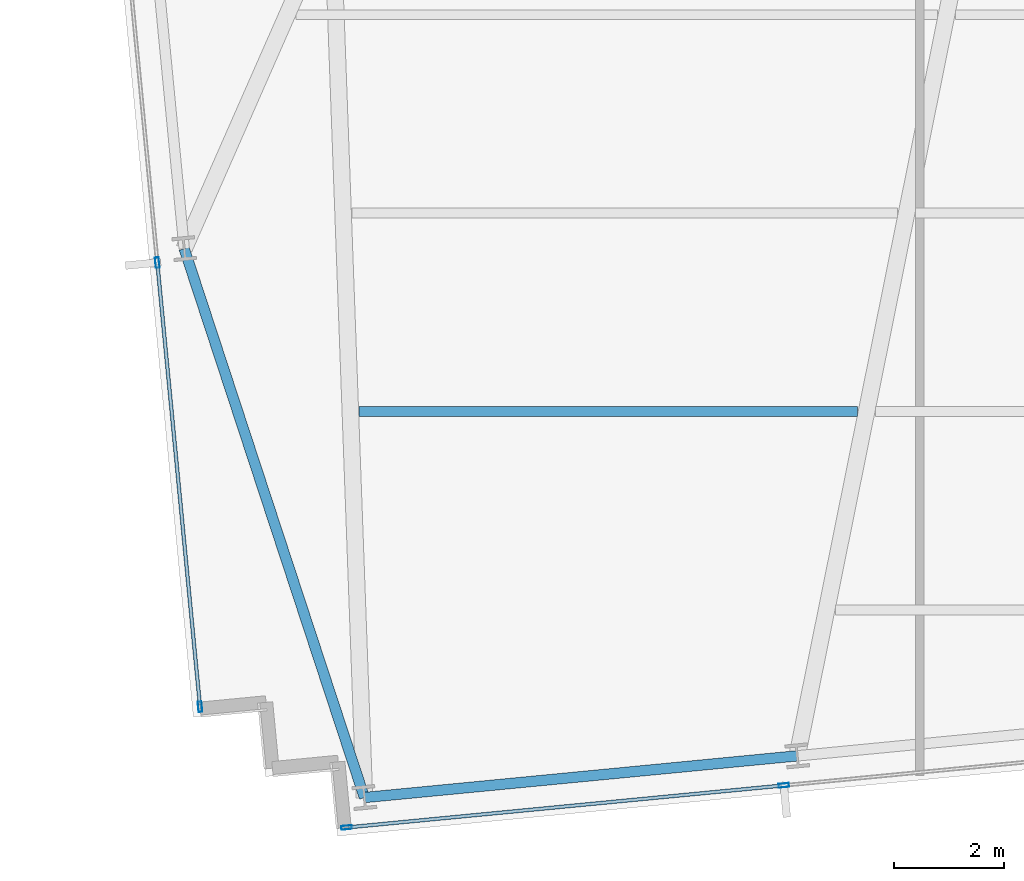
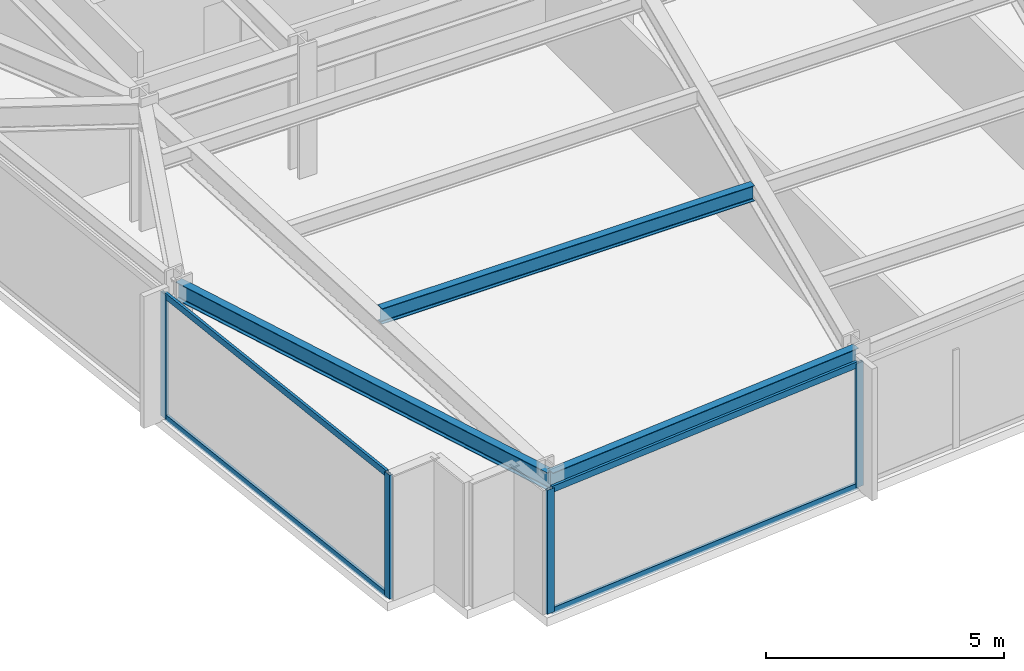
# One storey, part 2 of 33: 8 members, 3 beams, 2 elements without a shape of their own.
"""IFC4 building model written with IfcOpenShell, lengths in metres."""

from ifc_helpers import new_model, si_unit, direction, frame, origin, origin_2d, place, context, subcontext, project, spatial, hollow_rectangle, i_section, extrude, material, material_profile, profile_set, type_object, element, aggregate, save


model = new_model("IFC4")

# Units and contexts
model_context = context("Model", 3, precision=1e-05, world=origin(), true_north=direction((0.0, 1.0)))
body_context = subcontext(model_context, "Body", "Model", "MODEL_VIEW")
ifc_project = project(units=[si_unit("LENGTHUNIT", "METRE"), si_unit("AREAUNIT", "SQUARE_METRE"), si_unit("VOLUMEUNIT", "CUBIC_METRE"), si_unit("PLANEANGLEUNIT", "RADIAN"), si_unit("MASSUNIT", "GRAM", prefix="KILO")], contexts=[model_context])

# Site, building, storey
site_placement = place(None, origin())
site = spatial("IfcSite", under=ifc_project, at=site_placement, CompositionType="ELEMENT")
building_placement = place(site_placement, origin())
building = spatial("IfcBuilding", under=site, at=building_placement, Name="Yelkora Congress Tower", CompositionType="ELEMENT")
storey_placement = place(building_placement, frame((0.0, 0.0, 106.699951171875)))
storey = spatial("IfcBuildingStorey", under=building, at=storey_placement, Name="L28", CompositionType="ELEMENT", Elevation=106.699951171875)

# Beams
ifc_material_1 = material(Name="Steel S355J2", Category="steel")
ifc_material_profile_1 = material_profile(ifc_material_1, i_section(OverallWidth=0.179931640625, OverallDepth=0.39990234375, WebThickness=0.008544921875, FlangeThickness=0.013427734375, FilletRadius=0.02099609375, at=origin_2d()), Name="IPE 400")
ifc_profile_set_1 = profile_set([ifc_material_profile_1], Name="Steel S355J2")
beam_type_1 = type_object("IfcBeamType", Name="BM-JOIST-IPE400", PredefinedType="JOIST", material=ifc_profile_set_1)
beam_1_placement = place(storey_placement, frame((19.6904296875, 16.144287109375, 2.97998046875), z_axis=(1.0, 0.0, 0.0), x_axis=(0.0, 1.0, 0.0)))
element("IfcBeam", 1, at=beam_1_placement, inside=storey, type_object=beam_type_1, Name="L28 Composite Floor Joist 4", PredefinedType="JOIST", context=body_context, shape_type="SweptSolid", body=[
    extrude(i_section(OverallWidth=0.179931640625, OverallDepth=0.39990234375, WebThickness=0.008544921875, FlangeThickness=0.013427734375, FilletRadius=0.02099609375, at=origin_2d()), origin(), (0.0, 0.0, 1.0), 9.0439453125),
])
ifc_material_profile_2 = material_profile(ifc_material_1, i_section(OverallWidth=0.18994140625, OverallDepth=0.449951171875, WebThickness=0.009521484375, FlangeThickness=0.0146484375, FilletRadius=0.02099609375, at=origin_2d()), Name="IPE 450")
ifc_profile_set_2 = profile_set([ifc_material_profile_2], Name="Steel S355J2")
beam_type_2 = type_object("IfcBeamType", Name="BM-SPAN-IPE450", PredefinedType="SPANDREL", material=ifc_profile_set_2)
beam_2_placement = place(storey_placement, frame((16.5166015625, 19.101806640625, 2.955078125), z_axis=(0.311940628701, -0.95010159676, 0.0), x_axis=(0.95010159676, 0.311940628701, 0.0)))
element("IfcBeam", 2, at=beam_2_placement, inside=storey, type_object=beam_type_2, Name="L28 Perimeter Beam 2", PredefinedType="SPANDREL", context=body_context, shape_type="SweptSolid", body=[
    extrude(i_section(OverallWidth=0.18994140625, OverallDepth=0.449951171875, WebThickness=0.009521484375, FlangeThickness=0.0146484375, FilletRadius=0.02099609375, at=origin_2d()), origin(), (0.0, 0.0, 1.0), 10.48046875),
])
beam_3_placement = place(storey_placement, frame((19.785888671875, 9.144287109375, 2.955078125), z_axis=(0.995395860104, 0.095849265454, 0.0), x_axis=(-0.095849265454, 0.995395860104, 0.0)))
element("IfcBeam", 3, at=beam_3_placement, inside=storey, type_object=beam_type_2, Name="L28 Perimeter Beam 3", PredefinedType="SPANDREL", context=body_context, shape_type="SweptSolid", body=[
    extrude(i_section(OverallWidth=0.18994140625, OverallDepth=0.449951171875, WebThickness=0.009521484375, FlangeThickness=0.0146484375, FilletRadius=0.02099609375, at=origin_2d()), origin(), (0.0, 0.0, 1.0), 7.885986328125),
])

# Curtain wall, members
ifc_material_2 = material(Name="Anodised aluminium and insulated glass", Category="aluminium")
curtain_wall_type = type_object("IfcCurtainWallType", Name="CW-SYS-B2", PredefinedType="NOTDEFINED", material=ifc_material_2)
curtain_wall_1_placement = place(storey_placement, origin())
curtain_wall_1 = element("IfcCurtainWall", 4, at=curtain_wall_1_placement, inside=storey, type_object=curtain_wall_type, Name="L28 Unitised Curtain Wall 5", PredefinedType="NOTDEFINED")
ifc_material_3 = material(Name="Anodised aluminium 6063-T6", Category="aluminium")
ifc_material_profile_3 = material_profile(ifc_material_3, hollow_rectangle(XDim=0.070068359375, YDim=0.18994140625, WallThickness=0.00390625, at=origin_2d()), Name="ALU 70x190x4")
ifc_profile_set_3 = profile_set([ifc_material_profile_3], Name="Anodised aluminium 6063-T6")
member_type_1 = type_object("IfcMemberType", Name="MEM-ML-B2", PredefinedType="MULLION", material=ifc_profile_set_3)
member_1_placement = place(storey_placement, frame((16.804443359375, 10.791259765625, 0.0), z_axis=(0.0, 0.0, 1.0), x_axis=(-0.995396507508, -0.095842541913, 0.0)))
member_1 = element("IfcMember", 5, at=member_1_placement, type_object=member_type_1, Name="CW-B2 mullion 1", PredefinedType="MULLION", context=body_context, shape_type="SweptSolid", body=[
    extrude(hollow_rectangle(XDim=0.070068359375, YDim=0.18994140625, WallThickness=0.00390625, at=origin_2d()), origin(), (0.0, 0.0, 1.0), 3.179931640625),
])
member_2_placement = place(storey_placement, frame((16.028564453125, 18.848876953125, 0.0), z_axis=(0.0, 0.0, 1.0), x_axis=(-0.995396507508, -0.095842541913, 0.0)))
member_2 = element("IfcMember", 6, at=member_2_placement, type_object=member_type_1, Name="CW-B2 mullion 2", PredefinedType="MULLION", context=body_context, shape_type="SweptSolid", body=[
    extrude(hollow_rectangle(XDim=0.070068359375, YDim=0.18994140625, WallThickness=0.00390625, at=origin_2d()), origin(), (0.0, 0.0, 1.0), 3.179931640625),
])

curtain_wall_2_placement = place(storey_placement, origin())
curtain_wall_2 = element("IfcCurtainWall", 7, at=curtain_wall_2_placement, inside=storey, type_object=curtain_wall_type, Name="L28 Unitised Curtain Wall 20", PredefinedType="NOTDEFINED")
member_3_placement = place(storey_placement, frame((27.392822265625, 9.364501953125, 0.0), z_axis=(0.0, 0.0, 1.0), x_axis=(0.095844345816, -0.995396333816, 0.0)))
member_3 = element("IfcMember", 8, at=member_3_placement, type_object=member_type_1, Name="CW-B2 mullion 7", PredefinedType="MULLION", context=body_context, shape_type="SweptSolid", body=[
    extrude(hollow_rectangle(XDim=0.070068359375, YDim=0.18994140625, WallThickness=0.00390625, at=origin_2d()), origin(), (0.0, 0.0, 1.0), 3.179931640625),
])
member_4_placement = place(storey_placement, frame((19.46142578125, 8.600830078125, 0.0), z_axis=(0.0, 0.0, 1.0), x_axis=(0.095844345816, -0.995396333816, 0.0)))
member_4 = element("IfcMember", 9, at=member_4_placement, type_object=member_type_1, Name="CW-B2 mullion 8", PredefinedType="MULLION", context=body_context, shape_type="SweptSolid", body=[
    extrude(hollow_rectangle(XDim=0.070068359375, YDim=0.18994140625, WallThickness=0.00390625, at=origin_2d()), origin(), (0.0, 0.0, 1.0), 3.179931640625),
])

# Member
ifc_material_profile_4 = material_profile(ifc_material_3, hollow_rectangle(XDim=0.06494140625, YDim=0.159912109375, WallThickness=0.00390625, at=origin_2d()), Name="ALU 65x160x4")
ifc_profile_set_4 = profile_set([ifc_material_profile_4], Name="Anodised aluminium 6063-T6")
member_type_2 = type_object("IfcMemberType", Name="MEM-TR-B2", PredefinedType="USERDEFINED", material=ifc_profile_set_4)
member_5_placement = place(storey_placement, frame((16.801025390625, 10.826171875, 0.032470703125), z_axis=(-0.095861385662, 0.995394692943, 0.0), x_axis=(-0.995394692943, -0.095861385662, 0.0)))
member_5 = element("IfcMember", 10, at=member_5_placement, type_object=member_type_2, Name="CW-B2 transom 1.1", ObjectType="TRANSOM", PredefinedType="USERDEFINED", context=body_context, shape_type="SweptSolid", body=[
    extrude(hollow_rectangle(XDim=0.06494140625, YDim=0.159912109375, WallThickness=0.00390625, at=origin_2d()), origin(), (0.0, 0.0, 1.0), 8.02490234375),
])

member_6_placement = place(storey_placement, frame((16.801025390625, 10.826171875, 3.1474609375), z_axis=(-0.095861385662, 0.995394692943, 0.0), x_axis=(-0.995394692943, -0.095861385662, 0.0)))
member_6 = element("IfcMember", 11, at=member_6_placement, type_object=member_type_2, Name="CW-B2 transom 1.2", ObjectType="TRANSOM", PredefinedType="USERDEFINED", context=body_context, shape_type="SweptSolid", body=[
    extrude(hollow_rectangle(XDim=0.06494140625, YDim=0.159912109375, WallThickness=0.00390625, at=origin_2d()), origin(), (0.0, 0.0, 1.0), 8.02490234375),
])

aggregate(curtain_wall_1, [member_1, member_2, member_5, member_6])

member_7_placement = place(storey_placement, frame((27.35791015625, 9.361083984375, 0.032470703125), z_axis=(-0.995397978421, -0.095827264157, 0.0), x_axis=(0.095827264157, -0.995397978421, 0.0)))
member_7 = element("IfcMember", 12, at=member_7_placement, type_object=member_type_2, Name="CW-B2 transom 7.1", ObjectType="TRANSOM", PredefinedType="USERDEFINED", context=body_context, shape_type="SweptSolid", body=[
    extrude(hollow_rectangle(XDim=0.06494140625, YDim=0.159912109375, WallThickness=0.00390625, at=origin_2d()), origin(), (0.0, 0.0, 1.0), 7.89794921875),
])

member_8_placement = place(storey_placement, frame((27.35791015625, 9.361083984375, 3.1474609375), z_axis=(-0.995397978421, -0.095827264157, 0.0), x_axis=(0.095827264157, -0.995397978421, 0.0)))
member_8 = element("IfcMember", 13, at=member_8_placement, type_object=member_type_2, Name="CW-B2 transom 7.2", ObjectType="TRANSOM", PredefinedType="USERDEFINED", context=body_context, shape_type="SweptSolid", body=[
    extrude(hollow_rectangle(XDim=0.06494140625, YDim=0.159912109375, WallThickness=0.00390625, at=origin_2d()), origin(), (0.0, 0.0, 1.0), 7.89794921875),
])

aggregate(curtain_wall_2, [member_3, member_4, member_7, member_8])

save(model, "model.ifc")
